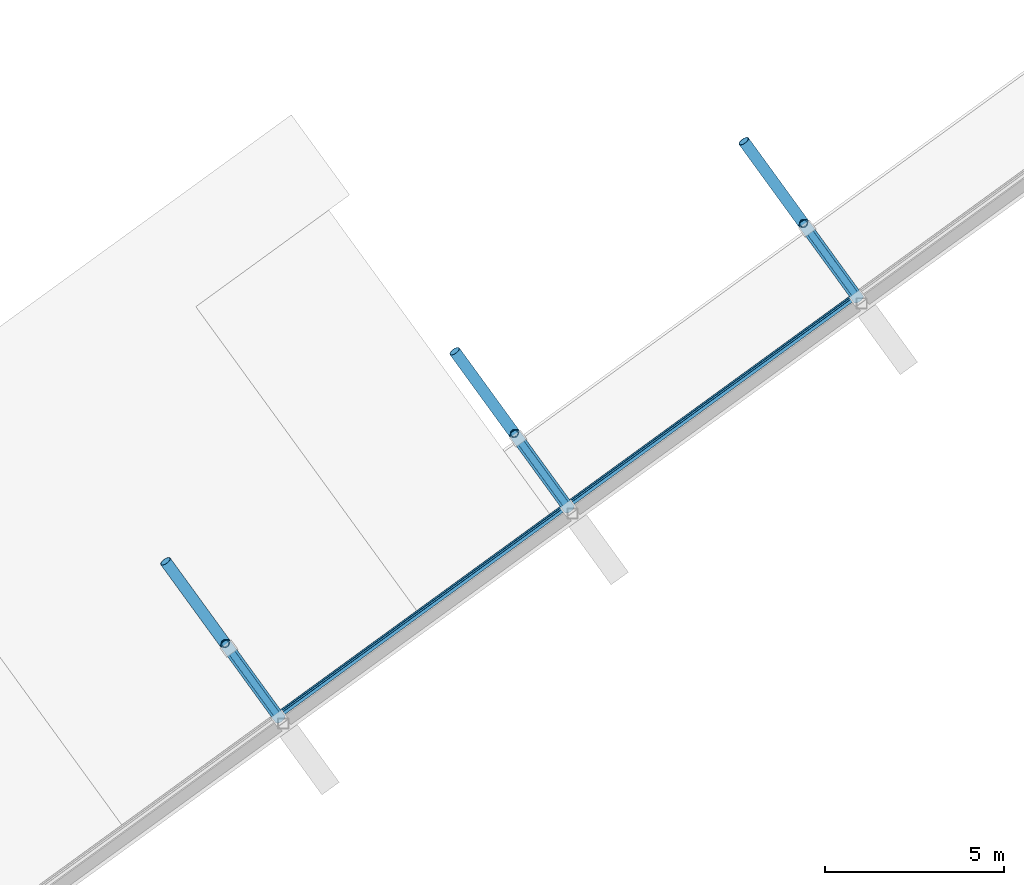
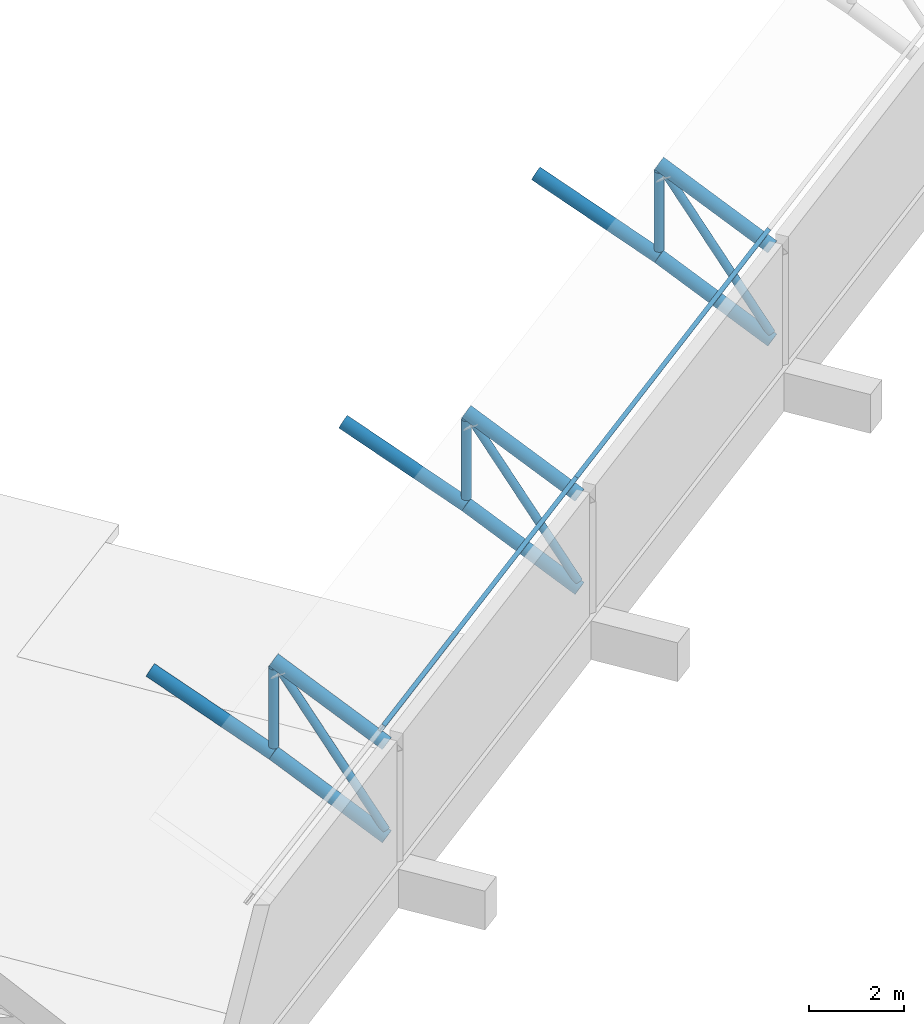
# One storey, part 94 of 196: 15 members, 2 beams.
"""IFC4 building model written with IfcOpenShell, lengths in metres."""

from ifc_helpers import new_model, si_unit, direction, frame, origin, origin_2d, place, context, subcontext, project, spatial, hollow_circle, i_section, extrude, material, material_profile, profile_set, type_object, element, save


model = new_model("IFC4")

# Units and contexts
model_context = context("Model", 3, precision=1e-05, world=origin(), true_north=direction((0.0, 1.0)))
body_context = subcontext(model_context, "Body", "Model", "MODEL_VIEW")
ifc_project = project(units=[si_unit("LENGTHUNIT", "METRE"), si_unit("AREAUNIT", "SQUARE_METRE"), si_unit("VOLUMEUNIT", "CUBIC_METRE"), si_unit("PLANEANGLEUNIT", "RADIAN"), si_unit("MASSUNIT", "GRAM", prefix="KILO")], contexts=[model_context])

# Site, building, storey
site_placement = place(None, origin())
site = spatial("IfcSite", under=ifc_project, at=site_placement, CompositionType="ELEMENT")
building_placement = place(site_placement, origin())
building = spatial("IfcBuilding", under=site, at=building_placement, Name="Okhra Congress Centre", CompositionType="ELEMENT")
storey_placement = place(building_placement, frame((0.0, 0.0, 12.0)))
storey = spatial("IfcBuildingStorey", under=building, at=storey_placement, Name="L02", CompositionType="ELEMENT", Elevation=12.0)

# Members
ifc_material_1 = material(Name="Steel S355J2H", Category="steel")
ifc_material_profile_1 = material_profile(ifc_material_1, hollow_circle(Radius=0.096923828125, WallThickness=0.010009765625, at=origin_2d()), Name="CHS 193.7x10")
ifc_profile_set_1 = profile_set([ifc_material_profile_1], Name="Steel S355J2H")
member_type_1 = type_object("IfcMemberType", Name="CHS 193.7x10", PredefinedType="BRACE", material=ifc_profile_set_1)
for number, where, z_axis, x_axis, name in (
    (1, (237.7939453125, 162.1337890625, 1.705810546875), (-0.340493544996, 0.468635010563, 0.815135186758), (-0.809008555592, -0.587796867106, 0.0), "Truss 2 diagonal 1"),
    (2, (245.884033203125, 168.011474609375, 1.705810546875), (-0.340493544996, 0.468635010563, 0.815135186758), (-0.809008555592, -0.587796867106, 0.0), "Truss 3 diagonal 1"),
    (3, (253.97412109375, 173.889404296875, 1.705810546875), (-0.340441482182, 0.468644406713, 0.815151530248), (-0.809056898295, -0.587730325338, 0.0), "Truss 4 diagonal 1"),
):
    element("IfcMember", number, at=place(storey_placement, frame(where, z_axis=z_axis, x_axis=x_axis)), inside=storey, type_object=member_type_1, Name=name, PredefinedType="BRACE", context=body_context, shape_type="SweptSolid", body=[
        extrude(hollow_circle(Radius=0.096923828125, WallThickness=0.010009765625, at=origin_2d()), origin(), (0.0, 0.0, 1.0), 4.145751953125),
    ])
ifc_material_profile_2 = material_profile(ifc_material_1, hollow_circle(Radius=0.109619140625, WallThickness=0.008056640625, at=origin_2d()), Name="CHS 219.1x8")
ifc_profile_set_2 = profile_set([ifc_material_profile_2], Name="Steel S355J2H")
member_type_2 = type_object("IfcMemberType", Name="CHS 219.1x8", PredefinedType="POST", material=ifc_profile_set_2)
for number, where, z_axis, x_axis, name in (
    (4, (236.275634765625, 164.2236328125, 3.1240234375), (0.0, 0.0, 1.0), (1.0, 0.0, 0.0), "Truss 2 post 1"),
    (5, (244.36572265625, 170.101318359375, 3.1240234375), (0.0, 0.0, 1.0), (1.0, 0.0, 0.0), "Truss 3 post 1"),
    (6, (252.455810546875, 175.979248046875, 3.1240234375), (0.0, 0.0, 1.0), (1.0, 0.0, 0.0), "Truss 4 post 1"),
):
    element("IfcMember", number, at=place(storey_placement, frame(where, z_axis=z_axis, x_axis=x_axis)), inside=storey, type_object=member_type_2, Name=name, PredefinedType="POST", context=body_context, shape_type="SweptSolid", body=[
        extrude(hollow_circle(Radius=0.109619140625, WallThickness=0.008056640625, at=origin_2d()), origin(), (0.0, 0.0, 1.0), 2.033447265625),
    ])
ifc_material_profile_3 = material_profile(ifc_material_1, hollow_circle(Radius=0.161865234375, WallThickness=0.012451171875, at=origin_2d()), Name="CHS 323.9x12.5")
ifc_profile_set_3 = profile_set([ifc_material_profile_3], Name="Steel S355J2H")
member_type_3 = type_object("IfcMemberType", Name="CHS 323.9x12.5", PredefinedType="CHORD", material=ifc_profile_set_3)
for number, where, z_axis, x_axis, name in (
    (7, (237.8125, 162.108154296875, 1.53076171875), (-0.517341175143, 0.71211458024, 0.474606082041), (-0.809038794154, -0.587755246301, 0.0), "Truss 2 bottom chord 1"),
    (8, (237.8125, 162.108154296875, 3.930908203125), (-0.517341175143, 0.71211458024, 0.474606082041), (-0.809038794154, -0.587755246301, 0.0), "Truss 2 top chord 1"),
):
    element("IfcMember", number, at=place(storey_placement, frame(where, z_axis=z_axis, x_axis=x_axis)), inside=storey, type_object=member_type_3, Name=name, PredefinedType="CHORD", context=body_context, shape_type="SweptSolid", body=[
        extrude(hollow_circle(Radius=0.161865234375, WallThickness=0.012451171875, at=origin_2d()), origin(), (0.0, 0.0, 1.0), 2.970703125),
    ])
member_1_placement = place(storey_placement, frame((236.275634765625, 164.2236328125, 2.940673828125), z_axis=(-0.532727224068, 0.733180026938, 0.422668608766), x_axis=(-0.808995610274, -0.587814683856, 0.0)))
element("IfcMember", 9, at=member_1_placement, inside=storey, type_object=member_type_3, Name="Truss 2 bottom chord 2", PredefinedType="CHORD", context=body_context, shape_type="SweptSolid", body=[
    extrude(hollow_circle(Radius=0.161865234375, WallThickness=0.012451171875, at=origin_2d()), origin(), (0.0, 0.0, 1.0), 3.14111328125),
])
for number, where, z_axis, x_axis, name in (
    (10, (245.902587890625, 167.98583984375, 1.53076171875), (-0.517341175143, 0.71211458024, 0.474606082041), (-0.809038794154, -0.587755246301, 0.0), "Truss 3 bottom chord 1"),
    (11, (245.902587890625, 167.98583984375, 3.930908203125), (-0.517341175143, 0.71211458024, 0.474606082041), (-0.809038794154, -0.587755246301, 0.0), "Truss 3 top chord 1"),
):
    element("IfcMember", number, at=place(storey_placement, frame(where, z_axis=z_axis, x_axis=x_axis)), inside=storey, type_object=member_type_3, Name=name, PredefinedType="CHORD", context=body_context, shape_type="SweptSolid", body=[
        extrude(hollow_circle(Radius=0.161865234375, WallThickness=0.012451171875, at=origin_2d()), origin(), (0.0, 0.0, 1.0), 2.970703125),
    ])
member_2_placement = place(storey_placement, frame((244.36572265625, 170.101318359375, 2.940673828125), z_axis=(-0.532696866834, 0.733215967568, 0.422644523175), x_axis=(-0.809025240298, -0.587773902586, 0.0)))
element("IfcMember", 12, at=member_2_placement, inside=storey, type_object=member_type_3, Name="Truss 3 bottom chord 2", PredefinedType="CHORD", context=body_context, shape_type="SweptSolid", body=[
    extrude(hollow_circle(Radius=0.161865234375, WallThickness=0.012451171875, at=origin_2d()), origin(), (0.0, 0.0, 1.0), 3.141357421875),
])
for number, where, z_axis, x_axis, name in (
    (13, (253.992919921875, 173.86376953125, 1.53076171875), (-0.517401358597, 0.712084303088, 0.474585903097), (-0.808994395952, -0.587816355096, 0.0), "Truss 4 bottom chord 1"),
    (14, (253.992919921875, 173.86376953125, 3.930908203125), (-0.517401358597, 0.712084303088, 0.474585903097), (-0.808994395952, -0.587816355096, 0.0), "Truss 4 top chord 1"),
):
    element("IfcMember", number, at=place(storey_placement, frame(where, z_axis=z_axis, x_axis=x_axis)), inside=storey, type_object=member_type_3, Name=name, PredefinedType="CHORD", context=body_context, shape_type="SweptSolid", body=[
        extrude(hollow_circle(Radius=0.161865234375, WallThickness=0.012451171875, at=origin_2d()), origin(), (0.0, 0.0, 1.0), 2.970947265625),
    ])
member_3_placement = place(storey_placement, frame((252.455810546875, 175.979248046875, 2.940673828125), z_axis=(-0.532696866834, 0.733215967568, 0.422644523175), x_axis=(-0.809025240298, -0.587773902586, 0.0)))
element("IfcMember", 15, at=member_3_placement, inside=storey, type_object=member_type_3, Name="Truss 4 bottom chord 2", PredefinedType="CHORD", context=body_context, shape_type="SweptSolid", body=[
    extrude(hollow_circle(Radius=0.161865234375, WallThickness=0.012451171875, at=origin_2d()), origin(), (0.0, 0.0, 1.0), 3.141357421875),
])

# Beams
ifc_material_2 = material(Name="Steel S355J2", Category="steel")
ifc_material_profile_4 = material_profile(ifc_material_2, i_section(OverallWidth=0.10009765625, OverallDepth=0.199951171875, WebThickness=0.005615234375, FlangeThickness=0.008544921875, FilletRadius=0.011962890625, at=origin_2d()), Name="IPE 200")
ifc_profile_set_4 = profile_set([ifc_material_profile_4], Name="Steel S355J2")
beam_type = type_object("IfcBeamType", Name="IPE 200", PredefinedType="BEAM", material=ifc_profile_set_4)
beam_1_placement = place(storey_placement, frame((237.739990234375, 162.207763671875, 4.29150390625), z_axis=(0.809018924928, 0.587782595105, 0.0), x_axis=(-0.517367057924, 0.712099583215, 0.474600369743)))
element("IfcBeam", 16, at=beam_1_placement, inside=storey, type_object=beam_type, Name="Purlin 1.2", PredefinedType="BEAM", context=body_context, shape_type="SweptSolid", body=[
    extrude(i_section(OverallWidth=0.10009765625, OverallDepth=0.199951171875, WebThickness=0.005615234375, FlangeThickness=0.008544921875, FilletRadius=0.011962890625, at=origin_2d()), origin(), (0.0, 0.0, 1.0), 10.000244140625),
])
beam_2_placement = place(storey_placement, frame((245.830322265625, 168.085693359375, 4.29150390625), z_axis=(0.809022099746, 0.587778225288, 0.0), x_axis=(-0.517363211606, 0.712102377694, 0.474600369743)))
element("IfcBeam", 17, at=beam_2_placement, inside=storey, type_object=beam_type, Name="Purlin 1.3", PredefinedType="BEAM", context=body_context, shape_type="SweptSolid", body=[
    extrude(i_section(OverallWidth=0.10009765625, OverallDepth=0.199951171875, WebThickness=0.005615234375, FlangeThickness=0.008544921875, FilletRadius=0.011962890625, at=origin_2d()), origin(), (0.0, 0.0, 1.0), 9.999755859375),
])

save(model, "model.ifc")
